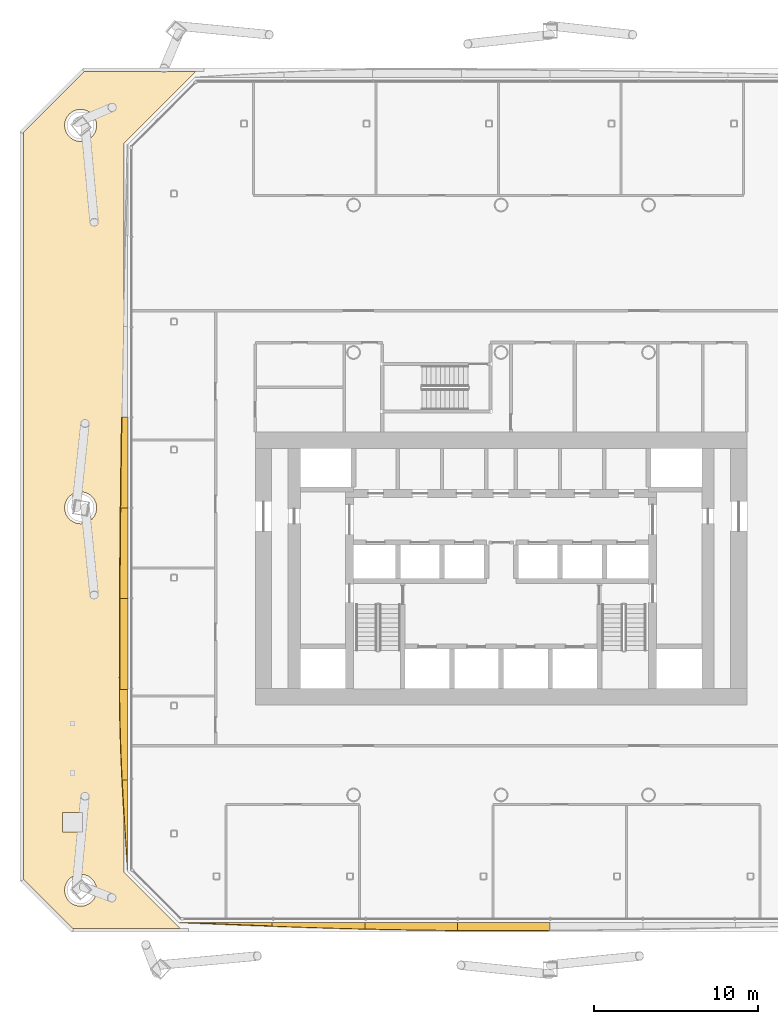
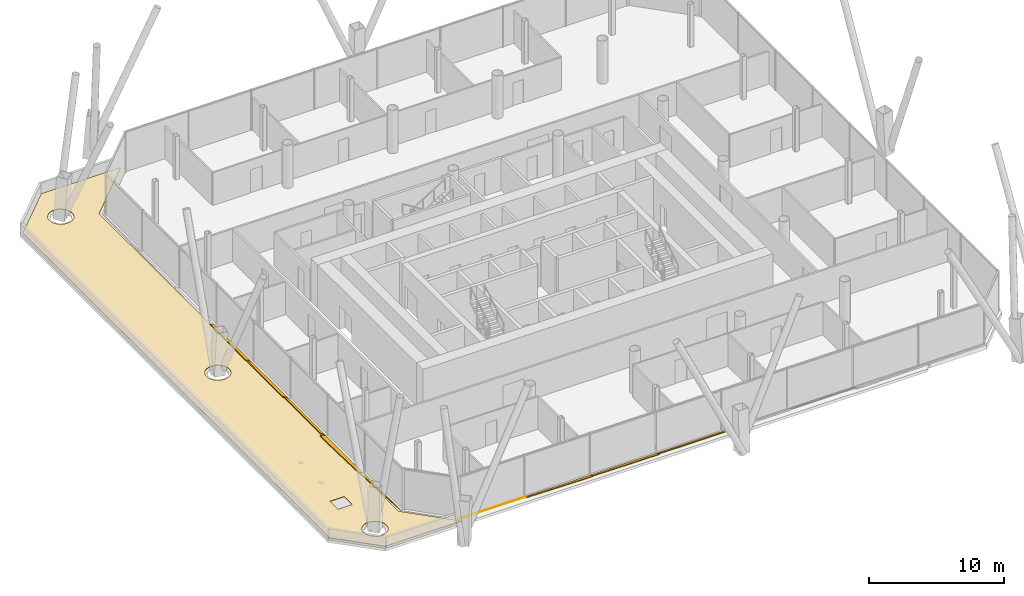
# One storey, part 17 of 23: 9 shading devices, 1 covering.
"""IFC4 building model written with IfcOpenShell, lengths in metres."""

from ifc_helpers import new_model, si_unit, direction, frame, origin, place, context, subcontext, project, spatial, polyline, outline, extrude, material, layer, layer_set, type_object, element, save


model = new_model("IFC4")

# Units and contexts
model_context = context("Model", 3, precision=1e-05, world=origin(), true_north=direction((0.0, 1.0)))
body_context = subcontext(model_context, "Body", "Model", "MODEL_VIEW")
ifc_project = project(units=[si_unit("LENGTHUNIT", "METRE"), si_unit("AREAUNIT", "SQUARE_METRE"), si_unit("VOLUMEUNIT", "CUBIC_METRE"), si_unit("PLANEANGLEUNIT", "RADIAN"), si_unit("MASSUNIT", "GRAM", prefix="KILO")], contexts=[model_context])

# Site, building, storey
site_placement = place(None, origin())
site = spatial("IfcSite", under=ifc_project, at=site_placement, CompositionType="ELEMENT")
building_placement = place(site_placement, origin())
building = spatial("IfcBuilding", under=site, at=building_placement, Name="Tskaro Facet Tower", CompositionType="ELEMENT")
storey_placement = place(building_placement, frame((0.0, 0.0, 62.10009765625)))
storey = spatial("IfcBuildingStorey", under=building, at=storey_placement, Name="L14", CompositionType="ELEMENT", Elevation=62.10009765625)

# Shading devices
ifc_material_1 = material(Name="Bronze anodised aluminium 6063-T6", Category="aluminium")
ifc_layer_1 = layer(ifc_material_1, 0.06005859375, Name="Bronze anodised aluminium 6063-T6")
ifc_layer_set_1 = layer_set([ifc_layer_1], Name="Bronze anodised aluminium 6063-T6")
shading_device_type = type_object("IfcShadingDeviceType", Name="Bronze sun blade (FN1)", PredefinedType="USERDEFINED", material=ifc_layer_set_1)
shading_device_1_placement = place(storey_placement, frame((-19.635009765625, -25.7705078125, 0.0458984375), z_axis=(8.088757e-06, 0.643020913757, 0.76584861716), x_axis=(0.999999999967, -5.20124e-06, -6.194763e-06)))
element("IfcShadingDevice", 1, at=shading_device_1_placement, inside=storey, type_object=shading_device_type, Name="Fin blade south 1", ObjectType="FIN", PredefinedType="USERDEFINED", context=body_context, shape_type="SweptSolid", body=[
    extrude(outline(polyline([(0.0, 0.0), (5.658691406064882, -4.793098059438519e-21), (5.658691406444829, -0.2916483267836272), (4.951416014816304, -0.25732617519769085), (4.244140625185292, -0.22215911150831125), (3.5366210939020135, -0.18646111077104394), (2.829345702459012, -0.1498882106980562), (2.1220703127709624, -0.11281436080945792), (1.4147949218130795, -0.07555353616080471), (0.7072753907153235, -0.03760478693648597), (0.0, 0.0)])), origin(), (0.0, 0.0, -1.0), 0.06005859375),
])
shading_device_2_placement = place(storey_placement, frame((-13.976318359375, -25.78857421875, 0.056396484375), z_axis=(-1.1123678e-05, 0.341786745003, 0.93977753794), x_axis=(0.999999999938, 3.801926e-06, 1.0453782e-05)))
element("IfcShadingDevice", 2, at=shading_device_2_placement, inside=storey, type_object=shading_device_type, Name="Fin blade south 2", ObjectType="FIN", PredefinedType="USERDEFINED", context=body_context, shape_type="SweptSolid", body=[
    extrude(outline(polyline([(0.0, 0.0), (5.6589355465248925, 2.3966524272958286e-21), (5.658935547930215, -0.4232366086909787), (4.951416014645499, -0.40446409285808893), (4.244140625002804, -0.3842315057427254), (3.536865234896745, -0.36268484119082894), (2.829345703702338, -0.33982409920239953), (2.1220703117413477, -0.315878717652925), (1.4147949218691869, -0.29070270269646453), (0.7075195296772534, -0.2646714860544467), (5.731530750596794e-10, -0.2377225179104776), (0.0, 0.0)])), origin(), (0.0, 0.0, -1.0), 0.06005859375),
])
shading_device_3_placement = place(storey_placement, frame((-8.3173828125, -25.78369140625, 0.05419921875), z_axis=(-1.8949663e-05, 0.42280132097, 0.906222402408), x_axis=(0.99999999982, 8.011943e-06, 1.7172609e-05)))
element("IfcShadingDevice", 3, at=shading_device_3_placement, inside=storey, type_object=shading_device_type, Name="Fin blade south 3", ObjectType="FIN", PredefinedType="USERDEFINED", context=body_context, shape_type="SweptSolid", body=[
    extrude(outline(polyline([(0.0, 0.0), (5.658691405234011, -1.4379294178315557e-20), (5.658691407294432, -0.5356273833598773), (4.951171873086511, -0.5296245251108366), (4.243896482854727, -0.5220877466817376), (3.5366210956936754, -0.5124713336863042), (2.8293457034987397, -0.5011145545532703), (2.121826169837498, -0.4881206322614071), (1.4145507821084338, -0.473371544085733), (0.7072753893454876, -0.4568820897724586), (-2.0223183828046873e-09, -0.4390799609828787), (0.0, 0.0)])), origin(), (0.0, 0.0, -1.0), 0.06005859375),
])
shading_device_4_placement = place(storey_placement, frame((-2.65869140625, -25.779052734375, 0.0517578125), z_axis=(-1.1249018e-05, 0.500148573413, 0.865939607817), x_axis=(0.999999999937, 5.62618e-06, 9.74097e-06)))
element("IfcShadingDevice", 4, at=shading_device_4_placement, inside=storey, type_object=shading_device_type, Name="Fin blade south 4", ObjectType="FIN", PredefinedType="USERDEFINED", context=body_context, shape_type="SweptSolid", body=[
    extrude(outline(polyline([(0.0, 0.0), (5.6586914058919735, 0.0), (5.658691406765923, -0.552923804870488), (4.951416016616492, -0.5577388583539519), (4.2438964852064816, -0.5616754655555543), (3.536621092781272, -0.5644001088529033), (2.829345702098633, -0.5663684124537045), (2.1220703121539786, -0.567246858735566), (1.8559570309208153, -0.567246858735566), (1.414550779944156, -0.5669133411131743), (0.7072753908398725, -0.564733626475295), (-5.401895115408001e-10, -0.5604635016513009), (0.0, 0.0)])), origin(), (0.0, 0.0, -1.0), 0.06005859375),
])
shading_device_5_placement = place(storey_placement, frame((-22.779052734375, 5.060546875, 0.0517578125), z_axis=(0.500217319541, 6.496766e-06, 0.865899897903), x_axis=(3.249795e-06, -0.999999999979, 5.625549e-06)))
element("IfcShadingDevice", 5, at=shading_device_5_placement, inside=storey, type_object=shading_device_type, Name="Fin blade west 4", ObjectType="FIN", PredefinedType="USERDEFINED", context=body_context, shape_type="SweptSolid", body=[
    extrude(outline(polyline([(0.0, 0.0), (5.539062499883103, 2.3458842172003865e-21), (5.539062500413387, -0.4976892055112868), (4.846679686641928, -0.4882704938358854), (4.154296874457283, -0.4784289794759519), (3.4619140632794325, -0.46783113772018925), (2.7695312501481393, -0.45677764788409825), (2.077148437810253, -0.44551275670574125), (1.3847656251057379, -0.43336941476252394), (0.6923828118212045, -0.42089254810800947), (1.2348497711737144e-10, -0.4079928787689629), (0.0, 0.0)])), origin(), (0.0, 0.0, -1.0), 0.06005859375),
])
shading_device_6_placement = place(storey_placement, frame((-22.774658203125, -0.478515625, 0.049072265625), z_axis=(0.573592633463, -2.632186e-06, 0.819140702706), x_axis=(-1.509803e-06, -0.999999999997, -2.156131e-06)))
element("IfcShadingDevice", 6, at=shading_device_6_placement, inside=storey, type_object=shading_device_type, Name="Fin blade west 5", ObjectType="FIN", PredefinedType="USERDEFINED", context=body_context, shape_type="SweptSolid", body=[
    extrude(outline(polyline([(0.0, 0.0), (5.539062499980812, 0.0), (5.539062500014532, -0.5835627432580193), (4.846679687567449, -0.5784825421965851), (4.154296874909558, -0.5728623328248769), (3.461914062567256, -0.5665620778788649), (2.7695312500141456, -0.5597218146225786), (2.0771484372502256, -0.5523415430560183), (1.3847656253282945, -0.5441411886511245), (0.692382812300551, -0.535340877676864), (-4.299825349865906e-11, -0.5260605066514219), (0.0, 0.0)])), origin(), (0.0, 0.0, -1.0), 0.06005859375),
])
shading_device_7_placement = place(storey_placement, frame((-22.7705078125, -6.017578125, 0.0458984375), z_axis=(0.642844571516, 3.815388e-06, 0.765996642851), x_axis=(2.452702e-06, -0.999999999993, 2.922575e-06)))
element("IfcShadingDevice", 7, at=shading_device_7_placement, inside=storey, type_object=shading_device_type, Name="Fin blade west 6", ObjectType="FIN", PredefinedType="USERDEFINED", context=body_context, shape_type="SweptSolid", body=[
    extrude(outline(polyline([(0.0, 0.0), (5.539062499959684, -1.1729421086001932e-21), (5.53906249998081, -0.6384064942300975), (4.846679687091247, -0.6411882036505925), (4.830078124591368, -0.6411882036505925), (4.15429687519509, -0.6410011927514576), (3.4619140623559845, -0.6399693266276467), (2.7695312498862528, -0.6380625388554939), (2.07714843790061, -0.6356247848096025), (1.3847656249720182, -0.632342175539035), (0.692382812527515, -0.6285285999947292), (-1.4641815629350135e-10, -0.6240271137012162), (0.0, 0.0)])), origin(), (0.0, 0.0, -1.0), 0.06005859375),
])
shading_device_8_placement = place(storey_placement, frame((-22.78857421875, -11.556640625, 0.056396484375), z_axis=(0.341853059925, -1.8520231e-05, 0.939753417167), x_axis=(-6.331198e-06, -0.999999999829, -1.7404451e-05)))
element("IfcShadingDevice", 8, at=shading_device_8_placement, inside=storey, type_object=shading_device_type, Name="Fin blade west 7", ObjectType="FIN", PredefinedType="USERDEFINED", context=body_context, shape_type="SweptSolid", body=[
    extrude(outline(polyline([(0.0, 0.0), (5.5393066396750115, 4.691975229553911e-21), (5.539306641982634, -0.3517133380308066), (4.8469238281300075, -0.38577501882894977), (4.154541016974619, -0.4166662146886517), (3.4621582011759275, -0.4440115218563303), (2.769775389232201, -0.46764401989254034), (2.0773925780520335, -0.4871048448239771), (1.385009763386293, -0.5024774568703632), (0.6923828131082866, -0.5135949355922533), (-1.5760376910449633e-09, -0.5203947694424407), (0.0, 0.0)])), origin(), (0.0, 0.0, -1.0), 0.06005859375),
])
shading_device_9_placement = place(storey_placement, frame((-22.78369140625, -17.095947265625, 0.05419921875), z_axis=(0.423156541343, 1.591224e-05, 0.906056588335), x_axis=(6.733369e-06, -0.999999999873, 1.441739e-05)))
element("IfcShadingDevice", 9, at=shading_device_9_placement, inside=storey, type_object=shading_device_type, Name="Fin blade west 8", ObjectType="FIN", PredefinedType="USERDEFINED", context=body_context, shape_type="SweptSolid", body=[
    extrude(outline(polyline([(0.0, 0.0), (5.5390624992987565, -4.691768434400773e-21), (4.846679688995728, -0.049910910147635504), (4.1542968768167166, -0.09949730537099208), (3.4619140625296323, -0.1482134655240013), (2.7695312494222497, -0.19561698016308424), (2.077148435618588, -0.24138333436396195), (1.3847656244064253, -0.2850701176830555), (0.6923828103899083, -0.3262495054935965), (-1.2672030701673913e-09, -0.36480360227628494), (0.0, 0.0)])), origin(), (0.0, 0.0, -1.0), 0.06005859375),
])

# Covering
ifc_material_2 = material(Name="Bituminous roofing membrane")
ifc_layer_2 = layer(ifc_material_2, 0.050048828125, Name="Bituminous roofing membrane")
ifc_layer_set_2 = layer_set([ifc_layer_2], Name="Bituminous roofing membrane")
covering_type = type_object("IfcCoveringType", Name="Roof membrane", PredefinedType="ROOFING", material=ifc_layer_set_2)
covering_placement = place(storey_placement, origin())
element("IfcCovering", 10, at=covering_placement, inside=storey, type_object=covering_type, Name="Roof membrane L14 1.1", PredefinedType="ROOFING", context=body_context, shape_type="SweptSolid", body=[
    extrude(outline(polyline([(-29.156982421875, -23.14306640625), (-29.156982421875, 22.42626953125), (-25.42626953125, 26.156982421875), (-18.61279296875, 26.156982421875), (-23.009033203125, 21.7607421875), (-23.009033203125, -22.7177734375), (-19.56982421875, -26.156982421875), (-26.14306640625, -26.156982421875), (-29.156982421875, -23.14306640625)]), holes=[polyline([(-24.757080078125, -24.18798828125), (-24.724853515625, -24.097900390625), (-24.70166015625, -24.005126953125), (-24.6875, -23.910400390625), (-24.682861328125, -23.81494140625), (-24.6875, -23.719482421875), (-24.70166015625, -23.624755859375), (-24.724853515625, -23.531982421875), (-24.757080078125, -23.44189453125), (-24.7978515625, -23.355224609375), (-24.84716796875, -23.273193359375), (-24.904052734375, -23.1962890625), (-24.968505859375, -23.12548828125), (-25.039306640625, -23.061279296875), (-25.1162109375, -23.004150390625), (-25.1982421875, -22.955078125), (-25.28466796875, -22.9140625), (-25.374755859375, -22.8818359375), (-25.467529296875, -22.858642578125), (-25.562255859375, -22.8447265625), (-25.65771484375, -22.83984375), (-25.75341796875, -22.8447265625), (-25.84814453125, -22.858642578125), (-25.94091796875, -22.8818359375), (-26.031005859375, -22.9140625), (-26.117431640625, -22.955078125), (-26.199462890625, -23.004150390625), (-26.2763671875, -23.061279296875), (-26.34716796875, -23.12548828125), (-26.41162109375, -23.1962890625), (-26.468505859375, -23.273193359375), (-26.517578125, -23.355224609375), (-26.55859375, -23.44189453125), (-26.5908203125, -23.531982421875), (-26.614013671875, -23.624755859375), (-26.628173828125, -23.719482421875), (-26.6328125, -23.81494140625), (-26.628173828125, -23.910400390625), (-26.614013671875, -24.005126953125), (-26.5908203125, -24.097900390625), (-26.55859375, -24.18798828125), (-26.517578125, -24.274658203125), (-26.468505859375, -24.356689453125), (-26.41162109375, -24.433349609375), (-26.34716796875, -24.50439453125), (-26.2763671875, -24.568603515625), (-26.199462890625, -24.625732421875), (-26.117431640625, -24.6748046875), (-26.031005859375, -24.7158203125), (-25.94091796875, -24.748046875), (-25.84814453125, -24.771240234375), (-25.75341796875, -24.78515625), (-25.65771484375, -24.7900390625), (-25.562255859375, -24.78515625), (-25.467529296875, -24.771240234375), (-25.374755859375, -24.748046875), (-25.28466796875, -24.7158203125), (-25.1982421875, -24.6748046875), (-25.1162109375, -24.625732421875), (-25.039306640625, -24.568603515625), (-24.968505859375, -24.50439453125), (-24.904052734375, -24.433349609375), (-24.84716796875, -24.356689453125), (-24.7978515625, -24.274658203125), (-24.757080078125, -24.18798828125)]), polyline([(-24.757080078125, -0.851318359375), (-24.724853515625, -0.76123046875), (-24.70166015625, -0.66845703125), (-24.6875, -0.57373046875), (-24.682861328125, -0.478271484375), (-24.6875, -0.382568359375), (-24.70166015625, -0.2880859375), (-24.724853515625, -0.195068359375), (-24.757080078125, -0.10498046875), (-24.7978515625, -0.0185546875), (-24.84716796875, 0.0634765625), (-24.904052734375, 0.140380859375), (-24.968505859375, 0.211181640625), (-25.039306640625, 0.275390625), (-25.1162109375, 0.33251953125), (-25.1982421875, 0.381591796875), (-25.28466796875, 0.422607421875), (-25.374755859375, 0.454833984375), (-25.467529296875, 0.47802734375), (-25.562255859375, 0.4921875), (-25.65771484375, 0.496826171875), (-25.75341796875, 0.4921875), (-25.84814453125, 0.47802734375), (-25.94091796875, 0.454833984375), (-26.031005859375, 0.422607421875), (-26.117431640625, 0.381591796875), (-26.199462890625, 0.33251953125), (-26.2763671875, 0.275390625), (-26.34716796875, 0.211181640625), (-26.41162109375, 0.140380859375), (-26.468505859375, 0.0634765625), (-26.517578125, -0.0185546875), (-26.55859375, -0.10498046875), (-26.5908203125, -0.195068359375), (-26.614013671875, -0.2880859375), (-26.628173828125, -0.382568359375), (-26.6328125, -0.478271484375), (-26.628173828125, -0.57373046875), (-26.614013671875, -0.66845703125), (-26.5908203125, -0.76123046875), (-26.55859375, -0.851318359375), (-26.517578125, -0.937744140625), (-26.468505859375, -1.019775390625), (-26.41162109375, -1.0966796875), (-26.34716796875, -1.167724609375), (-26.2763671875, -1.23193359375), (-26.199462890625, -1.288818359375), (-26.117431640625, -1.338134765625), (-26.031005859375, -1.37890625), (-25.94091796875, -1.4111328125), (-25.84814453125, -1.4345703125), (-25.75341796875, -1.448486328125), (-25.65771484375, -1.453125), (-25.562255859375, -1.448486328125), (-25.467529296875, -1.4345703125), (-25.374755859375, -1.4111328125), (-25.28466796875, -1.37890625), (-25.1982421875, -1.338134765625), (-25.1162109375, -1.288818359375), (-25.039306640625, -1.23193359375), (-24.968505859375, -1.167724609375), (-24.904052734375, -1.0966796875), (-24.84716796875, -1.019775390625), (-24.7978515625, -0.937744140625), (-24.757080078125, -0.851318359375)]), polyline([(-24.757080078125, 22.484375), (-24.724853515625, 22.574462890625), (-24.70166015625, 22.667236328125), (-24.6875, 22.761962890625), (-24.682861328125, 22.857666015625), (-24.6875, 22.953125), (-24.70166015625, 23.0478515625), (-24.724853515625, 23.140625), (-24.757080078125, 23.230712890625), (-24.7978515625, 23.317138671875), (-24.84716796875, 23.399169921875), (-24.904052734375, 23.47607421875), (-24.968505859375, 23.546875), (-25.039306640625, 23.611328125), (-25.1162109375, 23.668212890625), (-25.1982421875, 23.717529296875), (-25.28466796875, 23.75830078125), (-25.374755859375, 23.79052734375), (-25.467529296875, 23.813720703125), (-25.562255859375, 23.827880859375), (-25.65771484375, 23.83251953125), (-25.75341796875, 23.827880859375), (-25.84814453125, 23.813720703125), (-25.94091796875, 23.79052734375), (-26.031005859375, 23.75830078125), (-26.117431640625, 23.717529296875), (-26.199462890625, 23.668212890625), (-26.2763671875, 23.611328125), (-26.34716796875, 23.546875), (-26.41162109375, 23.47607421875), (-26.468505859375, 23.399169921875), (-26.517578125, 23.317138671875), (-26.55859375, 23.230712890625), (-26.5908203125, 23.140625), (-26.614013671875, 23.0478515625), (-26.628173828125, 22.953125), (-26.6328125, 22.857666015625), (-26.628173828125, 22.761962890625), (-26.614013671875, 22.667236328125), (-26.5908203125, 22.574462890625), (-26.55859375, 22.484375), (-26.517578125, 22.39794921875), (-26.468505859375, 22.31591796875), (-26.41162109375, 22.239013671875), (-26.34716796875, 22.168212890625), (-26.2763671875, 22.103759765625), (-26.199462890625, 22.046875), (-26.117431640625, 21.99755859375), (-26.031005859375, 21.956787109375), (-25.94091796875, 21.924560546875), (-25.84814453125, 21.9013671875), (-25.75341796875, 21.88720703125), (-25.65771484375, 21.882568359375), (-25.562255859375, 21.88720703125), (-25.467529296875, 21.9013671875), (-25.374755859375, 21.924560546875), (-25.28466796875, 21.956787109375), (-25.1982421875, 21.99755859375), (-25.1162109375, 22.046875), (-25.039306640625, 22.103759765625), (-24.968505859375, 22.168212890625), (-24.904052734375, 22.239013671875), (-24.84716796875, 22.31591796875), (-24.7978515625, 22.39794921875), (-24.757080078125, 22.484375)]), polyline([(-25.556884765625, -19.056884765625), (-26.757080078125, -19.056884765625), (-26.757080078125, -20.257080078125), (-25.556884765625, -20.257080078125), (-25.556884765625, -19.056884765625)])]), origin(), (0.0, 0.0, 1.0), 0.0498046875),
])

save(model, "model.ifc")
